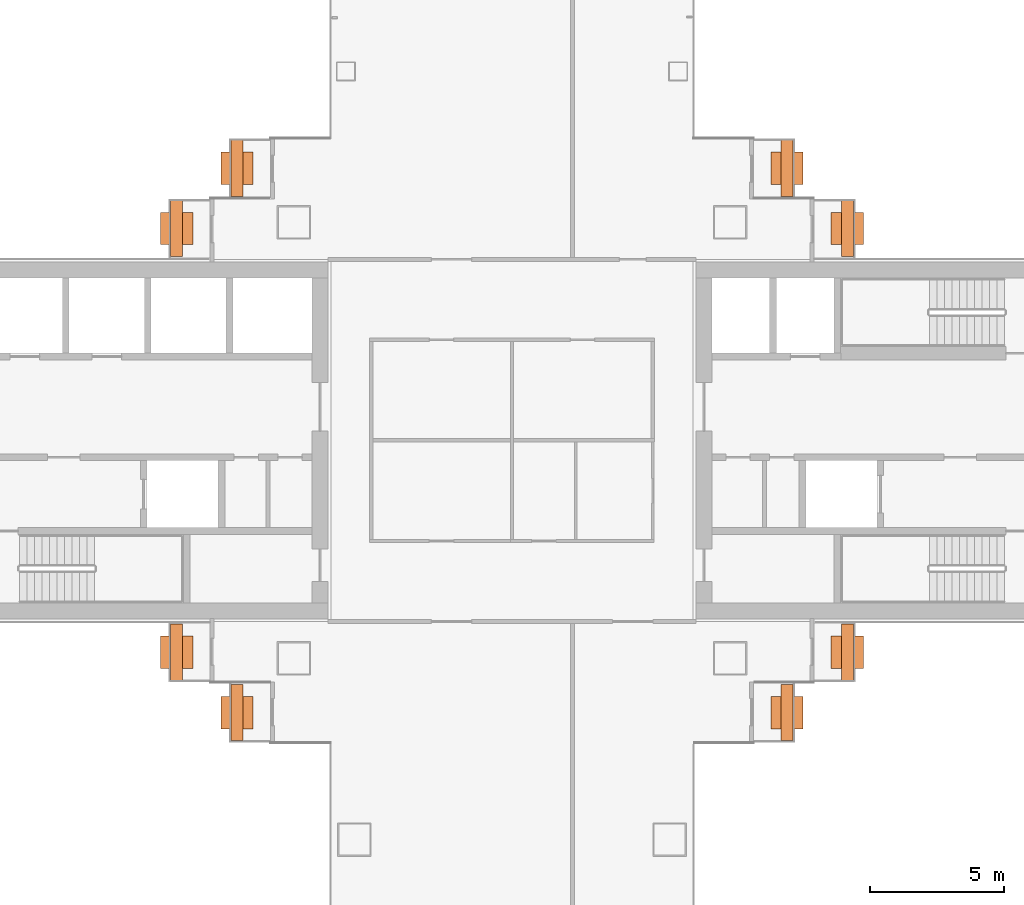
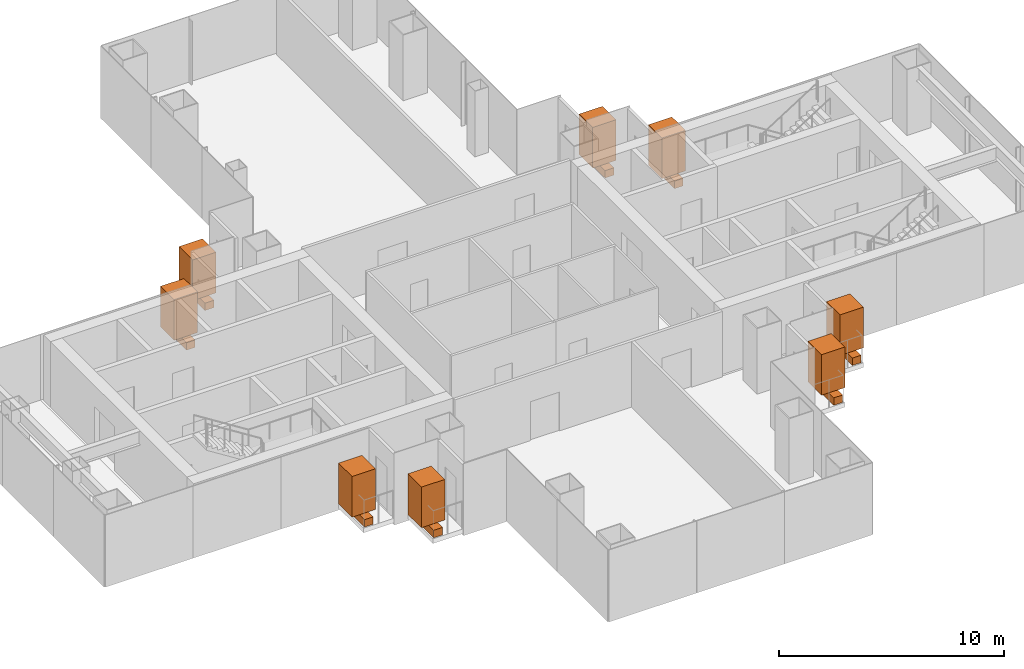
# One storey, part 19 of 19: 8 geographic elements, 8 proxies.
"""IFC4 building model written with IfcOpenShell, lengths in metres."""

from ifc_helpers import new_model, si_unit, direction, frame, origin, origin_2d, place, context, subcontext, project, spatial, rectangle, extrude, material, type_object, element, save


model = new_model("IFC4")

# Units and contexts
model_context = context("Model", 3, precision=1e-05, world=origin(), true_north=direction((0.0, 1.0)))
body_context = subcontext(model_context, "Body", "Model", "MODEL_VIEW")
ifc_project = project(units=[si_unit("LENGTHUNIT", "METRE"), si_unit("AREAUNIT", "SQUARE_METRE"), si_unit("VOLUMEUNIT", "CUBIC_METRE"), si_unit("PLANEANGLEUNIT", "RADIAN"), si_unit("MASSUNIT", "GRAM", prefix="KILO")], contexts=[model_context])

# Site, building, storey
site_placement = place(None, origin())
site = spatial("IfcSite", under=ifc_project, at=site_placement, CompositionType="ELEMENT")
building_placement = place(site_placement, origin())
building = spatial("IfcBuilding", under=site, at=building_placement, Name="Shamsa Quay Exchange Towers", CompositionType="ELEMENT")
storey_placement = place(building_placement, frame((0.0, 0.0, 97.5)))
storey = spatial("IfcBuildingStorey", under=building, at=storey_placement, Name="L22", CompositionType="ELEMENT", Elevation=97.5)

# Proxies
ifc_material_1 = material(Name="Reinforced concrete C30/37, black glass-fibre faced", Category="concrete")
building_element_proxy_type = type_object("IfcBuildingElementProxyType", Name="BALCONY PLANTER", PredefinedType="USERDEFINED", material=ifc_material_1)
for number, where, z_axis, x_axis, name in (
    (1, (23.5048828125, 10.14404296875, 0.0), (0.0, 0.0, 1.0), (0.0, -1.0, 0.0), "PLANTER T2-PKEN L22"),
    (2, (21.2548828125, 7.89404296875, 0.0), (0.0, 0.0, 1.0), (0.0, -1.0, 0.0), "PLANTER T2-PKEN L22"),
    (3, (43.9951171875, 10.14404296875, 0.0), (0.0, 0.0, 1.0), (0.0, 1.0, 0.0), "PLANTER T2-PKES L22"),
    (4, (46.2451171875, 7.89404296875, 0.0), (0.0, 0.0, 1.0), (0.0, 1.0, 0.0), "PLANTER T2-PKES L22"),
    (5, (21.2548828125, -7.89404296875, 0.0), (0.0, 0.0, 1.0), (0.0, -1.0, 0.0), "PLANTER T2-PKWN L22"),
    (6, (23.5048828125, -10.14404296875, 0.0), (0.0, 0.0, 1.0), (0.0, -1.0, 0.0), "PLANTER T2-PKWN L22"),
    (7, (43.9951171875, -10.14404296875, 0.0), (0.0, 0.0, 1.0), (0.0, 1.0, 0.0), "PLANTER T2-PKWS L22"),
    (8, (46.2451171875, -7.89404296875, 0.0), (0.0, 0.0, 1.0), (0.0, 1.0, 0.0), "PLANTER T2-PKWS L22"),
):
    element("IfcBuildingElementProxy", number, at=place(storey_placement, frame(where, z_axis=z_axis, x_axis=x_axis)), inside=storey, type_object=building_element_proxy_type, Name=name, ObjectType="PLANTER", PredefinedType="USERDEFINED", context=body_context, shape_type="SweptSolid", body=[
        extrude(rectangle(XDim=2.092041015625, YDim=0.449951171875, at=origin_2d()), origin(), (0.0, 0.0, 1.0), 0.39990234375),
    ])

# Geographic elements
ifc_material_2 = material(Name="Planting")
geographic_element_type = type_object("IfcGeographicElementType", Name="BALCONY TREE", PredefinedType="USERDEFINED", material=ifc_material_2)
for number, where, z_axis, x_axis, name in (
    (9, (23.5048828125, 10.14404296875, 0.39990234375), (0.0, 0.0, 1.0), (0.0, -1.0, 0.0), "TREE T2-PKEN L22"),
    (10, (21.2548828125, 7.89404296875, 0.39990234375), (0.0, 0.0, 1.0), (0.0, -1.0, 0.0), "TREE T2-PKEN L22"),
    (11, (43.9951171875, 10.14404296875, 0.39990234375), (0.0, 0.0, 1.0), (0.0, 1.0, 0.0), "TREE T2-PKES L22"),
    (12, (46.2451171875, 7.89404296875, 0.39990234375), (0.0, 0.0, 1.0), (0.0, 1.0, 0.0), "TREE T2-PKES L22"),
    (13, (21.2548828125, -7.89404296875, 0.39990234375), (0.0, 0.0, 1.0), (0.0, -1.0, 0.0), "TREE T2-PKWN L22"),
    (14, (23.5048828125, -10.14404296875, 0.39990234375), (0.0, 0.0, 1.0), (0.0, -1.0, 0.0), "TREE T2-PKWN L22"),
    (15, (43.9951171875, -10.14404296875, 0.39990234375), (0.0, 0.0, 1.0), (0.0, 1.0, 0.0), "TREE T2-PKWS L22"),
    (16, (46.2451171875, -7.89404296875, 0.39990234375), (0.0, 0.0, 1.0), (0.0, 1.0, 0.0), "TREE T2-PKWS L22"),
):
    element("IfcGeographicElement", number, at=place(storey_placement, frame(where, z_axis=z_axis, x_axis=x_axis)), inside=storey, type_object=geographic_element_type, Name=name, ObjectType="TREE", PredefinedType="USERDEFINED", context=body_context, shape_type="SweptSolid", body=[
        extrude(rectangle(XDim=1.199951171875, YDim=1.199951171875, at=origin_2d()), origin(), (0.0, 0.0, 1.0), 2.199951171875),
    ])

save(model, "model.ifc")
